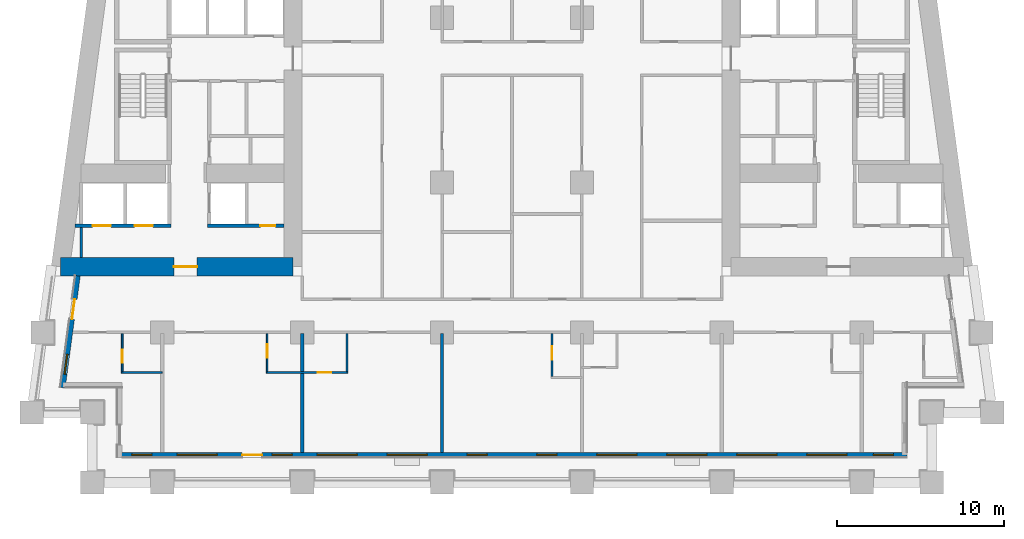
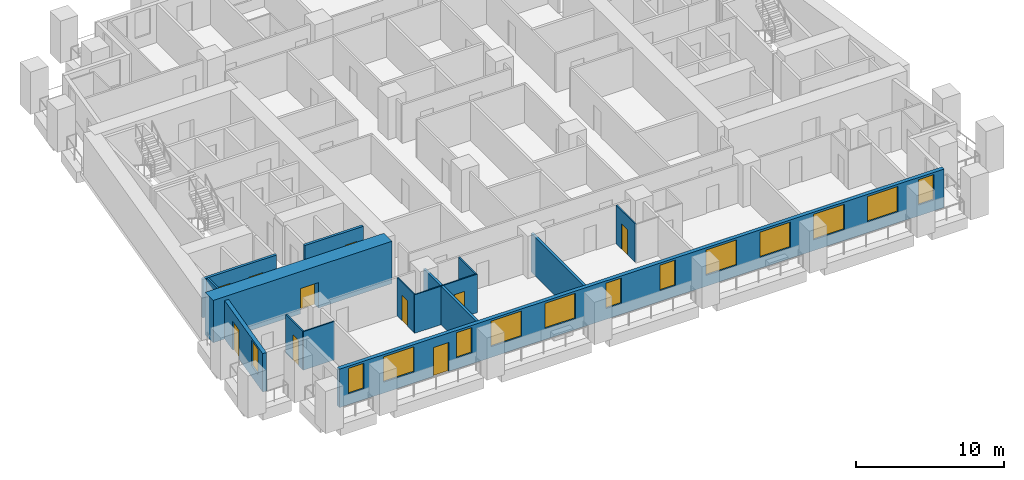
# One storey, part 2 of 13: 14 walls, 13 windows, 10 doors, 23 openings.
"""IFC4 building model written with IfcOpenShell, lengths in metres."""

from ifc_helpers import new_model, si_unit, direction, frame, frame_2d, origin, place, context, subcontext, project, spatial, rectangle, extrude, material, layer, layer_set, type_object, element, fill, save


model = new_model("IFC4")

# Units and contexts
model_context = context("Model", 3, precision=1e-05, world=origin(), true_north=direction((0.0, 1.0)))
body_context = subcontext(model_context, "Body", "Model", "MODEL_VIEW")
ifc_project = project(units=[si_unit("LENGTHUNIT", "METRE"), si_unit("AREAUNIT", "SQUARE_METRE"), si_unit("VOLUMEUNIT", "CUBIC_METRE"), si_unit("PLANEANGLEUNIT", "RADIAN"), si_unit("MASSUNIT", "GRAM", prefix="KILO")], contexts=[model_context])

# Site, building, storey
site_placement = place(None, origin())
site = spatial("IfcSite", under=ifc_project, at=site_placement, CompositionType="ELEMENT")
building_placement = place(site_placement, origin())
building = spatial("IfcBuilding", under=site, at=building_placement, Name="Candeia Pilgrim Tower and Theatre", CompositionType="ELEMENT")
storey_placement = place(building_placement, frame((0.0, 0.0, 56.5)))
storey = spatial("IfcBuildingStorey", under=building, at=storey_placement, Name="L11", CompositionType="ELEMENT", Elevation=56.5)

# Wall, opening, door
ifc_material_1 = material(Name="Concrete C80/95", Category="concrete")
ifc_layer_1 = layer(ifc_material_1, 1.10009765625)
ifc_layer_set_1 = layer_set([ifc_layer_1], Name="Core wall 1100 C80/95")
wall_type_1 = type_object("IfcWallType", Name="Core wall 1100 C80/95", PredefinedType="SHEAR", material=ifc_layer_set_1)
wall_1_placement = place(storey_placement, frame((100.25, 110.949951171875, 0.0), z_axis=(0.0, 0.0, 1.0), x_axis=(-1.0, 0.0, 0.0)))
wall_1 = element("IfcWall", 1, at=wall_1_placement, inside=storey, type_object=wall_type_1, Name="Core wall W3", PredefinedType="SHEAR", context=body_context, shape_type="SweptSolid", body=[
    extrude(rectangle(XDim=13.95166015625, YDim=1.10009765625, at=frame_2d((6.975830078125, 0.0))), origin(), (0.0, 0.0, 1.0), 3.5),
])
opening_1_placement = place(wall_1_placement, frame((5.74755859375, 0.0, 0.0)))
opening_1 = element("IfcOpeningElement", 2, at=opening_1_placement, cuts=wall_1, Name="Opening L11-D059", PredefinedType="OPENING", context=body_context, shape_type="SweptSolid", body=[
    extrude(rectangle(XDim=1.39990234375, YDim=2.10009765625, at=frame_2d((0.699951171875, 1.050048828125))), frame((0.0, 0.56005859375, 0.0), z_axis=(0.0, -1.0, 0.0), x_axis=(1.0, 0.0, 0.0)), (0.0, 0.0, 1.0), 1.1201171875),
])
ifc_material_2 = material(Name="Steel fire door set", Category="steel")
door_type_1 = type_object("IfcDoorType", Name="D-1400-FD60", OperationType="NOTDEFINED", PredefinedType="DOOR", material=ifc_material_2)
door_1_placement = place(opening_1_placement, origin())
door_1 = element("IfcDoor", 3, at=door_1_placement, inside=storey, type_object=door_type_1, Name="Door L11-D059", OperationType="SINGLE_SWING_RIGHT", OverallHeight=2.10009765625, OverallWidth=1.39990234375, PredefinedType="DOOR", context=body_context, shape_type="SweptSolid", body=[
    extrude(rectangle(XDim=1.39990234375, YDim=2.10009765625, at=frame_2d((0.699951171875, 1.050048828125))), frame((0.0, 0.02490234375, 0.0), z_axis=(0.0, -1.0, 0.0), x_axis=(1.0, 0.0, 0.0)), (0.0, 0.0, 1.0), 0.050048828125),
])
fill(opening_1, door_1)

# Wall, openings, door, windows
ifc_material_3 = material(Name="Ceramic block masonry", Category="masonry")
ifc_layer_2 = layer(ifc_material_3, 0.300048828125)
ifc_layer_set_2 = layer_set([ifc_layer_2], Name="EW1 glazing-line wall 300")
wall_type_2 = type_object("IfcWallType", Name="EW1 glazing-line wall 300", PredefinedType="SOLIDWALL", material=ifc_layer_set_2)
wall_2_placement = place(storey_placement, frame((89.85009765625, 99.64990234375, 0.0), z_axis=(0.0, 0.0, 1.0), x_axis=(1.0, 0.0, 0.0)))
wall_2 = element("IfcWall", 4, at=wall_2_placement, inside=storey, type_object=wall_type_2, Name="External wall L11-0.0", PredefinedType="SOLIDWALL", context=body_context, shape_type="SweptSolid", body=[
    extrude(rectangle(XDim=47.25, YDim=0.300048828125, at=frame_2d((23.625, 0.0))), origin(), (0.0, 0.0, 1.0), 3.179931640625),
])
opening_2_placement = place(wall_2_placement, frame((0.72509765625, 0.0, 0.89990234375)))
opening_2 = element("IfcOpeningElement", 5, at=opening_2_placement, cuts=wall_2, Name="Opening W-B", PredefinedType="OPENING", context=body_context, shape_type="SweptSolid", body=[
    extrude(rectangle(XDim=1.199951171875, YDim=2.10009765625, at=frame_2d((0.60009765625, 1.050048828125))), frame((0.0, 0.16015625, 0.0), z_axis=(0.0, -1.0, 0.0), x_axis=(1.0, 0.0, 0.0)), (0.0, 0.0, 1.0), 0.320068359375),
])
opening_3_placement = place(wall_2_placement, frame((3.449951171875, 0.0, 0.89990234375)))
opening_3 = element("IfcOpeningElement", 6, at=opening_3_placement, cuts=wall_2, Name="Opening W-A", PredefinedType="OPENING", context=body_context, shape_type="SweptSolid", body=[
    extrude(rectangle(XDim=2.39990234375, YDim=2.10009765625, at=frame_2d((1.199951171875, 1.050048828125))), frame((0.0, 0.16015625, 0.0), z_axis=(0.0, -1.0, 0.0), x_axis=(1.0, 0.0, 0.0)), (0.0, 0.0, 1.0), 0.320068359375),
])
opening_4_placement = place(wall_2_placement, frame((7.35009765625, 0.0, 0.0)))
opening_4 = element("IfcOpeningElement", 7, at=opening_4_placement, cuts=wall_2, Name="Opening L11-ED129", PredefinedType="OPENING", context=body_context, shape_type="SweptSolid", body=[
    extrude(rectangle(XDim=1.199951171875, YDim=2.39990234375, at=frame_2d((0.60009765625, 1.199951171875))), frame((0.0, 0.16015625, 0.0), z_axis=(0.0, -1.0, 0.0), x_axis=(1.0, 0.0, 0.0)), (0.0, 0.0, 1.0), 0.320068359375),
])
opening_5_placement = place(wall_2_placement, frame((9.14990234375, 0.0, 0.89990234375)))
opening_5 = element("IfcOpeningElement", 8, at=opening_5_placement, cuts=wall_2, Name="Opening W-B", PredefinedType="OPENING", context=body_context, shape_type="SweptSolid", body=[
    extrude(rectangle(XDim=1.199951171875, YDim=2.10009765625, at=frame_2d((0.60009765625, 1.050048828125))), frame((0.0, 0.16015625, 0.0), z_axis=(0.0, -1.0, 0.0), x_axis=(1.0, 0.0, 0.0)), (0.0, 0.0, 1.0), 0.320068359375),
])
opening_6_placement = place(wall_2_placement, frame((11.85009765625, 0.0, 0.89990234375)))
opening_6 = element("IfcOpeningElement", 9, at=opening_6_placement, cuts=wall_2, Name="Opening W-A", PredefinedType="OPENING", context=body_context, shape_type="SweptSolid", body=[
    extrude(rectangle(XDim=2.39990234375, YDim=2.10009765625, at=frame_2d((1.199951171875, 1.050048828125))), frame((0.0, 0.16015625, 0.0), z_axis=(0.0, -1.0, 0.0), x_axis=(1.0, 0.0, 0.0)), (0.0, 0.0, 1.0), 0.320068359375),
])
opening_7_placement = place(wall_2_placement, frame((16.050048828125, 0.0, 0.89990234375)))
opening_7 = element("IfcOpeningElement", 10, at=opening_7_placement, cuts=wall_2, Name="Opening W-A", PredefinedType="OPENING", context=body_context, shape_type="SweptSolid", body=[
    extrude(rectangle(XDim=2.39990234375, YDim=2.10009765625, at=frame_2d((1.199951171875, 1.050048828125))), frame((0.0, 0.16015625, 0.0), z_axis=(0.0, -1.0, 0.0), x_axis=(1.0, 0.0, 0.0)), (0.0, 0.0, 1.0), 0.320068359375),
])
opening_8_placement = place(wall_2_placement, frame((20.85009765625, 0.0, 0.89990234375)))
opening_8 = element("IfcOpeningElement", 11, at=opening_8_placement, cuts=wall_2, Name="Opening W-B", PredefinedType="OPENING", context=body_context, shape_type="SweptSolid", body=[
    extrude(rectangle(XDim=1.199951171875, YDim=2.10009765625, at=frame_2d((0.60009765625, 1.050048828125))), frame((0.0, 0.16015625, 0.0), z_axis=(0.0, -1.0, 0.0), x_axis=(1.0, 0.0, 0.0)), (0.0, 0.0, 1.0), 0.320068359375),
])
opening_9_placement = place(wall_2_placement, frame((25.050048828125, 0.0, 0.89990234375)))
opening_9 = element("IfcOpeningElement", 12, at=opening_9_placement, cuts=wall_2, Name="Opening W-B", PredefinedType="OPENING", context=body_context, shape_type="SweptSolid", body=[
    extrude(rectangle(XDim=1.199951171875, YDim=2.10009765625, at=frame_2d((0.60009765625, 1.050048828125))), frame((0.0, 0.16015625, 0.0), z_axis=(0.0, -1.0, 0.0), x_axis=(1.0, 0.0, 0.0)), (0.0, 0.0, 1.0), 0.320068359375),
])
opening_10_placement = place(wall_2_placement, frame((28.64990234375, 0.0, 0.89990234375)))
opening_10 = element("IfcOpeningElement", 13, at=opening_10_placement, cuts=wall_2, Name="Opening W-A", PredefinedType="OPENING", context=body_context, shape_type="SweptSolid", body=[
    extrude(rectangle(XDim=2.39990234375, YDim=2.10009765625, at=frame_2d((1.199951171875, 1.050048828125))), frame((0.0, 0.16015625, 0.0), z_axis=(0.0, -1.0, 0.0), x_axis=(1.0, 0.0, 0.0)), (0.0, 0.0, 1.0), 0.320068359375),
])
opening_11_placement = place(wall_2_placement, frame((32.85009765625, 0.0, 0.89990234375)))
opening_11 = element("IfcOpeningElement", 14, at=opening_11_placement, cuts=wall_2, Name="Opening W-A", PredefinedType="OPENING", context=body_context, shape_type="SweptSolid", body=[
    extrude(rectangle(XDim=2.39990234375, YDim=2.10009765625, at=frame_2d((1.199951171875, 1.050048828125))), frame((0.0, 0.16015625, 0.0), z_axis=(0.0, -1.0, 0.0), x_axis=(1.0, 0.0, 0.0)), (0.0, 0.0, 1.0), 0.320068359375),
])
opening_12_placement = place(wall_2_placement, frame((37.050048828125, 0.0, 0.89990234375)))
opening_12 = element("IfcOpeningElement", 15, at=opening_12_placement, cuts=wall_2, Name="Opening W-A", PredefinedType="OPENING", context=body_context, shape_type="SweptSolid", body=[
    extrude(rectangle(XDim=2.39990234375, YDim=2.10009765625, at=frame_2d((1.199951171875, 1.050048828125))), frame((0.0, 0.16015625, 0.0), z_axis=(0.0, -1.0, 0.0), x_axis=(1.0, 0.0, 0.0)), (0.0, 0.0, 1.0), 0.320068359375),
])
opening_13_placement = place(wall_2_placement, frame((41.25, 0.0, 0.89990234375)))
opening_13 = element("IfcOpeningElement", 16, at=opening_13_placement, cuts=wall_2, Name="Opening W-A", PredefinedType="OPENING", context=body_context, shape_type="SweptSolid", body=[
    extrude(rectangle(XDim=2.39990234375, YDim=2.10009765625, at=frame_2d((1.199951171875, 1.050048828125))), frame((0.0, 0.16015625, 0.0), z_axis=(0.0, -1.0, 0.0), x_axis=(1.0, 0.0, 0.0)), (0.0, 0.0, 1.0), 0.320068359375),
])
opening_14_placement = place(wall_2_placement, frame((45.25, 0.0, 0.89990234375)))
opening_14 = element("IfcOpeningElement", 17, at=opening_14_placement, cuts=wall_2, Name="Opening W-B", PredefinedType="OPENING", context=body_context, shape_type="SweptSolid", body=[
    extrude(rectangle(XDim=1.199951171875, YDim=2.10009765625, at=frame_2d((0.60009765625, 1.050048828125))), frame((0.0, 0.16015625, 0.0), z_axis=(0.0, -1.0, 0.0), x_axis=(1.0, 0.0, 0.0)), (0.0, 0.0, 1.0), 0.320068359375),
])
ifc_material_4 = material(Name="Aluminium framed glazed door", Category="aluminium")
door_type_2 = type_object("IfcDoorType", Name="Loggia door 1200x2400", OperationType="DOUBLE_DOOR_SINGLE_SWING", PredefinedType="DOOR", material=ifc_material_4)
door_2_placement = place(opening_4_placement, origin())
door_2 = element("IfcDoor", 18, at=door_2_placement, inside=storey, type_object=door_type_2, Name="Loggia door L11-ED129", OperationType="DOUBLE_DOOR_SINGLE_SWING", OverallHeight=2.39990234375, OverallWidth=1.199951171875, PredefinedType="DOOR", context=body_context, shape_type="SweptSolid", body=[
    extrude(rectangle(XDim=1.199951171875, YDim=2.39990234375, at=frame_2d((0.60009765625, 1.199951171875))), frame((0.0, 0.02490234375, 0.0), z_axis=(0.0, -1.0, 0.0), x_axis=(1.0, 0.0, 0.0)), (0.0, 0.0, 1.0), 0.050048828125),
])
fill(opening_4, door_2)
ifc_material_5 = material(Name="Aluminium framed double glazing", Category="aluminium")
window_type_1 = type_object("IfcWindowType", Name="W-A window 2400x2100", PartitioningType="DOUBLE_PANEL_VERTICAL", PredefinedType="WINDOW", material=ifc_material_5)
window_1_placement = place(opening_3_placement, origin())
window_1 = element("IfcWindow", 19, at=window_1_placement, inside=storey, type_object=window_type_1, Name="Window W-A L11", OverallHeight=2.10009765625, OverallWidth=2.39990234375, PartitioningType="SINGLE_PANEL", PredefinedType="WINDOW", context=body_context, shape_type="SweptSolid", body=[
    extrude(rectangle(XDim=2.39990234375, YDim=2.10009765625, at=frame_2d((1.199951171875, 1.050048828125))), frame((0.0, 0.030029296875, 0.0), z_axis=(0.0, -1.0, 0.0), x_axis=(1.0, 0.0, 0.0)), (0.0, 0.0, 1.0), 0.06005859375),
])
fill(opening_3, window_1)
window_2_placement = place(opening_6_placement, origin())
window_2 = element("IfcWindow", 20, at=window_2_placement, inside=storey, type_object=window_type_1, Name="Window W-A L11", OverallHeight=2.10009765625, OverallWidth=2.39990234375, PartitioningType="SINGLE_PANEL", PredefinedType="WINDOW", context=body_context, shape_type="SweptSolid", body=[
    extrude(rectangle(XDim=2.39990234375, YDim=2.10009765625, at=frame_2d((1.199951171875, 1.050048828125))), frame((0.0, 0.030029296875, 0.0), z_axis=(0.0, -1.0, 0.0), x_axis=(1.0, 0.0, 0.0)), (0.0, 0.0, 1.0), 0.06005859375),
])
fill(opening_6, window_2)
window_3_placement = place(opening_7_placement, origin())
window_3 = element("IfcWindow", 21, at=window_3_placement, inside=storey, type_object=window_type_1, Name="Window W-A L11", OverallHeight=2.10009765625, OverallWidth=2.39990234375, PartitioningType="SINGLE_PANEL", PredefinedType="WINDOW", context=body_context, shape_type="SweptSolid", body=[
    extrude(rectangle(XDim=2.39990234375, YDim=2.10009765625, at=frame_2d((1.199951171875, 1.050048828125))), frame((0.0, 0.030029296875, 0.0), z_axis=(0.0, -1.0, 0.0), x_axis=(1.0, 0.0, 0.0)), (0.0, 0.0, 1.0), 0.06005859375),
])
fill(opening_7, window_3)
window_4_placement = place(opening_10_placement, origin())
window_4 = element("IfcWindow", 22, at=window_4_placement, inside=storey, type_object=window_type_1, Name="Window W-A L11", OverallHeight=2.10009765625, OverallWidth=2.39990234375, PartitioningType="SINGLE_PANEL", PredefinedType="WINDOW", context=body_context, shape_type="SweptSolid", body=[
    extrude(rectangle(XDim=2.39990234375, YDim=2.10009765625, at=frame_2d((1.199951171875, 1.050048828125))), frame((0.0, 0.030029296875, 0.0), z_axis=(0.0, -1.0, 0.0), x_axis=(1.0, 0.0, 0.0)), (0.0, 0.0, 1.0), 0.06005859375),
])
fill(opening_10, window_4)
window_5_placement = place(opening_11_placement, origin())
window_5 = element("IfcWindow", 23, at=window_5_placement, inside=storey, type_object=window_type_1, Name="Window W-A L11", OverallHeight=2.10009765625, OverallWidth=2.39990234375, PartitioningType="SINGLE_PANEL", PredefinedType="WINDOW", context=body_context, shape_type="SweptSolid", body=[
    extrude(rectangle(XDim=2.39990234375, YDim=2.10009765625, at=frame_2d((1.199951171875, 1.050048828125))), frame((0.0, 0.030029296875, 0.0), z_axis=(0.0, -1.0, 0.0), x_axis=(1.0, 0.0, 0.0)), (0.0, 0.0, 1.0), 0.06005859375),
])
fill(opening_11, window_5)
window_6_placement = place(opening_12_placement, origin())
window_6 = element("IfcWindow", 24, at=window_6_placement, inside=storey, type_object=window_type_1, Name="Window W-A L11", OverallHeight=2.10009765625, OverallWidth=2.39990234375, PartitioningType="SINGLE_PANEL", PredefinedType="WINDOW", context=body_context, shape_type="SweptSolid", body=[
    extrude(rectangle(XDim=2.39990234375, YDim=2.10009765625, at=frame_2d((1.199951171875, 1.050048828125))), frame((0.0, 0.030029296875, 0.0), z_axis=(0.0, -1.0, 0.0), x_axis=(1.0, 0.0, 0.0)), (0.0, 0.0, 1.0), 0.06005859375),
])
fill(opening_12, window_6)
window_7_placement = place(opening_13_placement, origin())
window_7 = element("IfcWindow", 25, at=window_7_placement, inside=storey, type_object=window_type_1, Name="Window W-A L11", OverallHeight=2.10009765625, OverallWidth=2.39990234375, PartitioningType="SINGLE_PANEL", PredefinedType="WINDOW", context=body_context, shape_type="SweptSolid", body=[
    extrude(rectangle(XDim=2.39990234375, YDim=2.10009765625, at=frame_2d((1.199951171875, 1.050048828125))), frame((0.0, 0.030029296875, 0.0), z_axis=(0.0, -1.0, 0.0), x_axis=(1.0, 0.0, 0.0)), (0.0, 0.0, 1.0), 0.06005859375),
])
fill(opening_13, window_7)
window_type_2 = type_object("IfcWindowType", Name="W-B window 1200x2100", PartitioningType="SINGLE_PANEL", PredefinedType="WINDOW", material=ifc_material_5)
window_8_placement = place(opening_2_placement, origin())
window_8 = element("IfcWindow", 26, at=window_8_placement, inside=storey, type_object=window_type_2, Name="Window W-B L11", OverallHeight=2.10009765625, OverallWidth=1.199951171875, PartitioningType="SINGLE_PANEL", PredefinedType="WINDOW", context=body_context, shape_type="SweptSolid", body=[
    extrude(rectangle(XDim=1.199951171875, YDim=2.10009765625, at=frame_2d((0.60009765625, 1.050048828125))), frame((0.0, 0.030029296875, 0.0), z_axis=(0.0, -1.0, 0.0), x_axis=(1.0, 0.0, 0.0)), (0.0, 0.0, 1.0), 0.06005859375),
])
fill(opening_2, window_8)
window_9_placement = place(opening_5_placement, origin())
window_9 = element("IfcWindow", 27, at=window_9_placement, inside=storey, type_object=window_type_2, Name="Window W-B L11", OverallHeight=2.10009765625, OverallWidth=1.199951171875, PartitioningType="SINGLE_PANEL", PredefinedType="WINDOW", context=body_context, shape_type="SweptSolid", body=[
    extrude(rectangle(XDim=1.199951171875, YDim=2.10009765625, at=frame_2d((0.60009765625, 1.050048828125))), frame((0.0, 0.030029296875, 0.0), z_axis=(0.0, -1.0, 0.0), x_axis=(1.0, 0.0, 0.0)), (0.0, 0.0, 1.0), 0.06005859375),
])
fill(opening_5, window_9)
window_10_placement = place(opening_8_placement, origin())
window_10 = element("IfcWindow", 28, at=window_10_placement, inside=storey, type_object=window_type_2, Name="Window W-B L11", OverallHeight=2.10009765625, OverallWidth=1.199951171875, PartitioningType="SINGLE_PANEL", PredefinedType="WINDOW", context=body_context, shape_type="SweptSolid", body=[
    extrude(rectangle(XDim=1.199951171875, YDim=2.10009765625, at=frame_2d((0.60009765625, 1.050048828125))), frame((0.0, 0.030029296875, 0.0), z_axis=(0.0, -1.0, 0.0), x_axis=(1.0, 0.0, 0.0)), (0.0, 0.0, 1.0), 0.06005859375),
])
fill(opening_8, window_10)
window_11_placement = place(opening_9_placement, origin())
window_11 = element("IfcWindow", 29, at=window_11_placement, inside=storey, type_object=window_type_2, Name="Window W-B L11", OverallHeight=2.10009765625, OverallWidth=1.199951171875, PartitioningType="SINGLE_PANEL", PredefinedType="WINDOW", context=body_context, shape_type="SweptSolid", body=[
    extrude(rectangle(XDim=1.199951171875, YDim=2.10009765625, at=frame_2d((0.60009765625, 1.050048828125))), frame((0.0, 0.030029296875, 0.0), z_axis=(0.0, -1.0, 0.0), x_axis=(1.0, 0.0, 0.0)), (0.0, 0.0, 1.0), 0.06005859375),
])
fill(opening_9, window_11)
window_12_placement = place(opening_14_placement, origin())
window_12 = element("IfcWindow", 30, at=window_12_placement, inside=storey, type_object=window_type_2, Name="Window W-B L11", OverallHeight=2.10009765625, OverallWidth=1.199951171875, PartitioningType="SINGLE_PANEL", PredefinedType="WINDOW", context=body_context, shape_type="SweptSolid", body=[
    extrude(rectangle(XDim=1.199951171875, YDim=2.10009765625, at=frame_2d((0.60009765625, 1.050048828125))), frame((0.0, 0.030029296875, 0.0), z_axis=(0.0, -1.0, 0.0), x_axis=(1.0, 0.0, 0.0)), (0.0, 0.0, 1.0), 0.06005859375),
])
fill(opening_14, window_12)

# Wall, openings, door, window
wall_3_placement = place(storey_placement, frame((87.334228515625, 110.39990234375, 0.0), z_axis=(0.0, 0.0, 1.0), x_axis=(-0.133437175554, -0.991057273915, 0.0)))
wall_3 = element("IfcWall", 31, at=wall_3_placement, inside=storey, type_object=wall_type_2, Name="External wall L11-9.1", PredefinedType="SOLIDWALL", context=body_context, shape_type="SweptSolid", body=[
    extrude(rectangle(XDim=6.780517578125, YDim=0.300048828125, at=frame_2d((3.39013671875, 0.0))), origin(), (0.0, 0.0, 1.0), 3.179931640625),
])
opening_15_placement = place(wall_3_placement, frame((1.41796875, 0.0, 0.0)))
opening_15 = element("IfcOpeningElement", 32, at=opening_15_placement, cuts=wall_3, Name="Opening L11-ED136", PredefinedType="OPENING", context=body_context, shape_type="SweptSolid", body=[
    extrude(rectangle(XDim=1.199951171875, YDim=2.39990234375, at=frame_2d((0.60009765625, 1.199951171875))), frame((0.0, 0.16015625, 0.0), z_axis=(0.0, -1.0, 0.0), x_axis=(1.0, 0.0, 0.0)), (0.0, 0.0, 1.0), 0.320068359375),
])
opening_16_placement = place(wall_3_placement, frame((4.75830078125, 0.0, 0.89990234375)))
opening_16 = element("IfcOpeningElement", 33, at=opening_16_placement, cuts=wall_3, Name="Opening W-B", PredefinedType="OPENING", context=body_context, shape_type="SweptSolid", body=[
    extrude(rectangle(XDim=1.199951171875, YDim=2.10009765625, at=frame_2d((0.60009765625, 1.050048828125))), frame((0.0, 0.16015625, 0.0), z_axis=(0.0, -1.0, 0.0), x_axis=(1.0, 0.0, 0.0)), (0.0, 0.0, 1.0), 0.320068359375),
])
door_3_placement = place(opening_15_placement, origin())
door_3 = element("IfcDoor", 34, at=door_3_placement, inside=storey, type_object=door_type_2, Name="Loggia door L11-ED136", OperationType="DOUBLE_DOOR_SINGLE_SWING", OverallHeight=2.39990234375, OverallWidth=1.199951171875, PredefinedType="DOOR", context=body_context, shape_type="SweptSolid", body=[
    extrude(rectangle(XDim=1.199951171875, YDim=2.39990234375, at=frame_2d((0.60009765625, 1.199951171875))), frame((0.0, 0.02490234375, 0.0), z_axis=(0.0, -1.0, 0.0), x_axis=(1.0, 0.0, 0.0)), (0.0, 0.0, 1.0), 0.050048828125),
])
fill(opening_15, door_3)
window_13_placement = place(opening_16_placement, origin())
window_13 = element("IfcWindow", 35, at=window_13_placement, inside=storey, type_object=window_type_2, Name="Window W-B L11", OverallHeight=2.10009765625, OverallWidth=1.199951171875, PartitioningType="SINGLE_PANEL", PredefinedType="WINDOW", context=body_context, shape_type="SweptSolid", body=[
    extrude(rectangle(XDim=1.199951171875, YDim=2.10009765625, at=frame_2d((0.60009765625, 1.050048828125))), frame((0.0, 0.030029296875, 0.0), z_axis=(0.0, -1.0, 0.0), x_axis=(1.0, 0.0, 0.0)), (0.0, 0.0, 1.0), 0.06005859375),
])
fill(opening_16, window_13)

# Wall
ifc_material_6 = material(Name="Gypsum board partition on steel studs", Category="steel")
ifc_layer_3 = layer(ifc_material_6, 0.10009765625)
ifc_layer_set_3 = layer_set([ifc_layer_3], Name="PW-100 room partition")
wall_type_3 = type_object("IfcWallType", Name="PW-100 room partition", PredefinedType="PARTITIONING", material=ifc_layer_set_3)
wall_4_placement = place(storey_placement, frame((89.949951171875, 104.60009765625, 0.0), z_axis=(0.0, 0.0, 1.0), x_axis=(1.0, 0.0, 0.0)))
element("IfcWall", 36, at=wall_4_placement, inside=storey, type_object=wall_type_3, Name="Room partition L11-003", PredefinedType="PARTITIONING", context=body_context, shape_type="SweptSolid", body=[
    extrude(rectangle(XDim=2.449951171875, YDim=0.10009765625, at=frame_2d((1.22509765625, 0.0))), origin(), (0.0, 0.0, 1.0), 3.179931640625),
])

# Wall, opening, door
wall_5_placement = place(storey_placement, frame((98.64990234375, 104.60009765625, 0.0), z_axis=(0.0, 0.0, 1.0), x_axis=(1.0, 0.0, 0.0)))
wall_5 = element("IfcWall", 37, at=wall_5_placement, inside=storey, type_object=wall_type_3, Name="Room partition L11-004", PredefinedType="PARTITIONING", context=body_context, shape_type="SweptSolid", body=[
    extrude(rectangle(XDim=4.900146484375, YDim=0.10009765625, at=frame_2d((2.4501953125, 0.0))), origin(), (0.0, 0.0, 1.0), 3.179931640625),
])
opening_17_placement = place(wall_5_placement, frame((3.10009765625, 0.0, 0.0)))
opening_17 = element("IfcOpeningElement", 38, at=opening_17_placement, cuts=wall_5, Name="Opening L11-D021", PredefinedType="OPENING", context=body_context, shape_type="SweptSolid", body=[
    extrude(rectangle(XDim=0.800048828125, YDim=2.10009765625, at=frame_2d((0.39990234375, 1.050048828125))), frame((0.0, 0.06005859375, 0.0), z_axis=(0.0, -1.0, 0.0), x_axis=(1.0, 0.0, 0.0)), (0.0, 0.0, 1.0), 0.1201171875),
])
ifc_material_7 = material(Name="Timber door leaf", Category="wood")
door_type_3 = type_object("IfcDoorType", Name="D-800", OperationType="NOTDEFINED", PredefinedType="DOOR", material=ifc_material_7)
door_4_placement = place(opening_17_placement, origin())
door_4 = element("IfcDoor", 39, at=door_4_placement, inside=storey, type_object=door_type_3, Name="Door L11-D021", OperationType="SINGLE_SWING_RIGHT", OverallHeight=2.10009765625, OverallWidth=0.800048828125, PredefinedType="DOOR", context=body_context, shape_type="SweptSolid", body=[
    extrude(rectangle(XDim=0.800048828125, YDim=2.10009765625, at=frame_2d((0.39990234375, 1.050048828125))), frame((0.0, 0.02490234375, 0.0), z_axis=(0.0, -1.0, 0.0), x_axis=(1.0, 0.0, 0.0)), (0.0, 0.0, 1.0), 0.050048828125),
])
fill(opening_17, door_4)

wall_6_placement = place(storey_placement, frame((90.0, 104.64990234375, 0.0), z_axis=(0.0, 0.0, 1.0), x_axis=(0.0, 1.0, 0.0)))
wall_6 = element("IfcWall", 40, at=wall_6_placement, inside=storey, type_object=wall_type_3, Name="Room partition L11-058", PredefinedType="PARTITIONING", context=body_context, shape_type="SweptSolid", body=[
    extrude(rectangle(XDim=2.275146484375, YDim=0.10009765625, at=frame_2d((1.1376953125, 0.0))), origin(), (0.0, 0.0, 1.0), 3.179931640625),
])
opening_18_placement = place(wall_6_placement, frame((0.52490234375, 0.0, 0.0)))
opening_18 = element("IfcOpeningElement", 41, at=opening_18_placement, cuts=wall_6, Name="Opening L11-D017", PredefinedType="OPENING", context=body_context, shape_type="SweptSolid", body=[
    extrude(rectangle(XDim=0.800048828125, YDim=2.10009765625, at=frame_2d((0.39990234375, 1.050048828125))), frame((0.0, 0.06005859375, 0.0), z_axis=(0.0, -1.0, 0.0), x_axis=(1.0, 0.0, 0.0)), (0.0, 0.0, 1.0), 0.1201171875),
])
door_5_placement = place(opening_18_placement, origin())
door_5 = element("IfcDoor", 42, at=door_5_placement, inside=storey, type_object=door_type_3, Name="Door L11-D017", OperationType="SINGLE_SWING_RIGHT", OverallHeight=2.10009765625, OverallWidth=0.800048828125, PredefinedType="DOOR", context=body_context, shape_type="SweptSolid", body=[
    extrude(rectangle(XDim=0.800048828125, YDim=2.10009765625, at=frame_2d((0.39990234375, 1.050048828125))), frame((0.0, 0.02490234375, 0.0), z_axis=(0.0, -1.0, 0.0), x_axis=(1.0, 0.0, 0.0)), (0.0, 0.0, 1.0), 0.050048828125),
])
fill(opening_18, door_5)

wall_7_placement = place(storey_placement, frame((98.699951171875, 104.64990234375, 0.0), z_axis=(0.0, 0.0, 1.0), x_axis=(0.0, 1.0, 0.0)))
wall_7 = element("IfcWall", 43, at=wall_7_placement, inside=storey, type_object=wall_type_3, Name="Room partition L11-076", PredefinedType="PARTITIONING", context=body_context, shape_type="SweptSolid", body=[
    extrude(rectangle(XDim=2.275146484375, YDim=0.10009765625, at=frame_2d((1.1376953125, 0.0))), origin(), (0.0, 0.0, 1.0), 3.179931640625),
])
opening_19_placement = place(wall_7_placement, frame((0.840087890625, 0.0, 0.0)))
opening_19 = element("IfcOpeningElement", 44, at=opening_19_placement, cuts=wall_7, Name="Opening L11-D019", PredefinedType="OPENING", context=body_context, shape_type="SweptSolid", body=[
    extrude(rectangle(XDim=0.800048828125, YDim=2.10009765625, at=frame_2d((0.39990234375, 1.050048828125))), frame((0.0, 0.06005859375, 0.0), z_axis=(0.0, -1.0, 0.0), x_axis=(1.0, 0.0, 0.0)), (0.0, 0.0, 1.0), 0.1201171875),
])
door_6_placement = place(opening_19_placement, origin())
door_6 = element("IfcDoor", 45, at=door_6_placement, inside=storey, type_object=door_type_3, Name="Door L11-D019", OperationType="SINGLE_SWING_RIGHT", OverallHeight=2.10009765625, OverallWidth=0.800048828125, PredefinedType="DOOR", context=body_context, shape_type="SweptSolid", body=[
    extrude(rectangle(XDim=0.800048828125, YDim=2.10009765625, at=frame_2d((0.39990234375, 1.050048828125))), frame((0.0, 0.02490234375, 0.0), z_axis=(0.0, -1.0, 0.0), x_axis=(1.0, 0.0, 0.0)), (0.0, 0.0, 1.0), 0.050048828125),
])
fill(opening_19, door_6)

# Wall
wall_8_placement = place(storey_placement, frame((103.5, 104.64990234375, 0.0), z_axis=(0.0, 0.0, 1.0), x_axis=(0.0, 1.0, 0.0)))
element("IfcWall", 46, at=wall_8_placement, inside=storey, type_object=wall_type_3, Name="Room partition L11-081", PredefinedType="PARTITIONING", context=body_context, shape_type="SweptSolid", body=[
    extrude(rectangle(XDim=2.275146484375, YDim=0.10009765625, at=frame_2d((1.1376953125, 0.0))), origin(), (0.0, 0.0, 1.0), 3.179931640625),
])

# Wall, opening, door
wall_9_placement = place(storey_placement, frame((115.800048828125, 104.35009765625, 0.0), z_axis=(0.0, 0.0, 1.0), x_axis=(0.0, 1.0, 0.0)))
wall_9 = element("IfcWall", 47, at=wall_9_placement, inside=storey, type_object=wall_type_3, Name="Room partition L11-092", PredefinedType="PARTITIONING", context=body_context, shape_type="SweptSolid", body=[
    extrude(rectangle(XDim=2.574951171875, YDim=0.10009765625, at=frame_2d((1.28759765625, 0.0))), origin(), (0.0, 0.0, 1.0), 3.179931640625),
])
opening_20_placement = place(wall_9_placement, frame((1.02001953125, 0.0, 0.0)))
opening_20 = element("IfcOpeningElement", 48, at=opening_20_placement, cuts=wall_9, Name="Opening L11-D023", PredefinedType="OPENING", context=body_context, shape_type="SweptSolid", body=[
    extrude(rectangle(XDim=0.800048828125, YDim=2.10009765625, at=frame_2d((0.39990234375, 1.050048828125))), frame((0.0, 0.06005859375, 0.0), z_axis=(0.0, -1.0, 0.0), x_axis=(1.0, 0.0, 0.0)), (0.0, 0.0, 1.0), 0.1201171875),
])
door_7_placement = place(opening_20_placement, origin())
door_7 = element("IfcDoor", 49, at=door_7_placement, inside=storey, type_object=door_type_3, Name="Door L11-D023", OperationType="SINGLE_SWING_RIGHT", OverallHeight=2.10009765625, OverallWidth=0.800048828125, PredefinedType="DOOR", context=body_context, shape_type="SweptSolid", body=[
    extrude(rectangle(XDim=0.800048828125, YDim=2.10009765625, at=frame_2d((0.39990234375, 1.050048828125))), frame((0.0, 0.02490234375, 0.0), z_axis=(0.0, -1.0, 0.0), x_axis=(1.0, 0.0, 0.0)), (0.0, 0.0, 1.0), 0.050048828125),
])
fill(opening_20, door_7)

# Walls
ifc_layer_4 = layer(ifc_material_6, 0.14990234375)
ifc_layer_set_4 = layer_set([ifc_layer_4], Name="PW-150 lobby wall")
wall_type_4 = type_object("IfcWallType", Name="PW-150 lobby wall", PredefinedType="PARTITIONING", material=ifc_layer_set_4)
wall_10_placement = place(storey_placement, frame((87.530029296875, 111.5, 0.0), z_axis=(0.0, 0.0, 1.0), x_axis=(0.0, 1.0, 0.0)))
element("IfcWall", 50, at=wall_10_placement, inside=storey, type_object=wall_type_4, Name="Lobby wall L11-055", PredefinedType="PARTITIONING", context=body_context, shape_type="SweptSolid", body=[
    extrude(rectangle(XDim=1.800048828125, YDim=0.14990234375, at=frame_2d((0.89990234375, 0.0))), origin(), (0.0, 0.0, 1.0), 3.179931640625),
])
ifc_layer_5 = layer(ifc_material_6, 0.199951171875)
ifc_layer_set_5 = layer_set([ifc_layer_5], Name="PW-200 party wall")
wall_type_5 = type_object("IfcWallType", Name="PW-200 party wall", PredefinedType="PARTITIONING", material=ifc_layer_set_5)
for number, where, z_axis, x_axis, name in (
    (51, (100.800048828125, 99.7900390625, 0.0), (0.0, 0.0, 1.0), (0.0, 1.0, 0.0), "Party wall L11-077"),
    (52, (109.199951171875, 99.7900390625, 0.0), (0.0, 0.0, 1.0), (0.0, 1.0, 0.0), "Party wall L11-086"),
):
    element("IfcWall", number, at=place(storey_placement, frame(where, z_axis=z_axis, x_axis=x_axis)), inside=storey, type_object=wall_type_5, Name=name, PredefinedType="PARTITIONING", context=body_context, shape_type="SweptSolid", body=[
        extrude(rectangle(XDim=7.135009765625, YDim=0.199951171875, at=frame_2d((3.5673828125, 0.0))), origin(), (0.0, 0.0, 1.0), 3.179931640625),
    ])

# Wall, openings, doors
ifc_material_8 = material(Name="Concrete C40/50", Category="concrete")
ifc_layer_6 = layer(ifc_material_8, 0.199951171875)
ifc_layer_set_6 = layer_set([ifc_layer_6], Name="SW-200 shaft wall")
wall_type_6 = type_object("IfcWallType", Name="SW-200 shaft wall", PredefinedType="PARTITIONING", material=ifc_layer_set_6)
wall_11_placement = place(storey_placement, frame((87.153076171875, 113.39990234375, 0.0), z_axis=(0.0, 0.0, 1.0), x_axis=(1.0, 0.0, 0.0)))
wall_11 = element("IfcWall", 53, at=wall_11_placement, inside=storey, type_object=wall_type_6, Name="Shaft wall L11-011", PredefinedType="PARTITIONING", context=body_context, shape_type="SweptSolid", body=[
    extrude(rectangle(XDim=5.77392578125, YDim=0.199951171875, at=frame_2d((2.886962890625, 0.0))), origin(), (0.0, 0.0, 1.0), 3.179931640625),
])
opening_21_placement = place(wall_11_placement, frame((1.06591796875, 0.0, 0.0)))
opening_21 = element("IfcOpeningElement", 54, at=opening_21_placement, cuts=wall_11, Name="Opening L11-LD03", PredefinedType="OPENING", context=body_context, shape_type="SweptSolid", body=[
    extrude(rectangle(XDim=1.10009765625, YDim=2.10009765625, at=frame_2d((0.550048828125, 1.050048828125))), frame((0.0, 0.10986328125, 0.0), z_axis=(0.0, -1.0, 0.0), x_axis=(1.0, 0.0, 0.0)), (0.0, 0.0, 1.0), 0.219970703125),
])
opening_22_placement = place(wall_11_placement, frame((3.587890625, 0.0, 0.0)))
opening_22 = element("IfcOpeningElement", 55, at=opening_22_placement, cuts=wall_11, Name="Opening L11-LD04", PredefinedType="OPENING", context=body_context, shape_type="SweptSolid", body=[
    extrude(rectangle(XDim=1.10009765625, YDim=2.10009765625, at=frame_2d((0.550048828125, 1.050048828125))), frame((0.0, 0.10986328125, 0.0), z_axis=(0.0, -1.0, 0.0), x_axis=(1.0, 0.0, 0.0)), (0.0, 0.0, 1.0), 0.219970703125),
])
ifc_material_9 = material(Name="Glazed aluminium landing door", Category="aluminium")
door_type_4 = type_object("IfcDoorType", Name="LD-1100-EI120", OperationType="SLIDING_TO_LEFT", PredefinedType="DOOR", material=ifc_material_9)
door_8_placement = place(opening_21_placement, origin())
door_8 = element("IfcDoor", 56, at=door_8_placement, inside=storey, type_object=door_type_4, Name="Landing door 03 L11", OperationType="SLIDING_TO_LEFT", OverallHeight=2.10009765625, OverallWidth=1.10009765625, PredefinedType="DOOR", context=body_context, shape_type="SweptSolid", body=[
    extrude(rectangle(XDim=1.10009765625, YDim=2.10009765625, at=frame_2d((0.550048828125, 1.050048828125))), frame((0.0, 0.02490234375, 0.0), z_axis=(0.0, -1.0, 0.0), x_axis=(1.0, 0.0, 0.0)), (0.0, 0.0, 1.0), 0.050048828125),
])
fill(opening_21, door_8)
door_9_placement = place(opening_22_placement, origin())
door_9 = element("IfcDoor", 57, at=door_9_placement, inside=storey, type_object=door_type_4, Name="Landing door 04 L11", OperationType="SLIDING_TO_LEFT", OverallHeight=2.10009765625, OverallWidth=1.10009765625, PredefinedType="DOOR", context=body_context, shape_type="SweptSolid", body=[
    extrude(rectangle(XDim=1.10009765625, YDim=2.10009765625, at=frame_2d((0.550048828125, 1.050048828125))), frame((0.0, 0.02490234375, 0.0), z_axis=(0.0, -1.0, 0.0), x_axis=(1.0, 0.0, 0.0)), (0.0, 0.0, 1.0), 0.050048828125),
])
fill(opening_22, door_9)

# Wall, opening, door
wall_12_placement = place(storey_placement, frame((95.126953125, 113.39990234375, 0.0), z_axis=(0.0, 0.0, 1.0), x_axis=(1.0, 0.0, 0.0)))
wall_12 = element("IfcWall", 58, at=wall_12_placement, inside=storey, type_object=wall_type_6, Name="Shaft wall L11-012", PredefinedType="PARTITIONING", context=body_context, shape_type="SweptSolid", body=[
    extrude(rectangle(XDim=4.572998046875, YDim=0.199951171875, at=frame_2d((2.28662109375, 0.0))), origin(), (0.0, 0.0, 1.0), 3.179931640625),
])
opening_23_placement = place(wall_12_placement, frame((3.1640625, 0.0, 0.0)))
opening_23 = element("IfcOpeningElement", 59, at=opening_23_placement, cuts=wall_12, Name="Opening L11-D007", PredefinedType="OPENING", context=body_context, shape_type="SweptSolid", body=[
    extrude(rectangle(XDim=0.89990234375, YDim=2.10009765625, at=frame_2d((0.449951171875, 1.050048828125))), frame((0.0, 0.10986328125, 0.0), z_axis=(0.0, -1.0, 0.0), x_axis=(1.0, 0.0, 0.0)), (0.0, 0.0, 1.0), 0.219970703125),
])
door_type_5 = type_object("IfcDoorType", Name="D-900-FD60", OperationType="NOTDEFINED", PredefinedType="DOOR", material=ifc_material_2)
door_10_placement = place(opening_23_placement, origin())
door_10 = element("IfcDoor", 60, at=door_10_placement, inside=storey, type_object=door_type_5, Name="Door L11-D007", OperationType="SINGLE_SWING_LEFT", OverallHeight=2.10009765625, OverallWidth=0.89990234375, PredefinedType="DOOR", context=body_context, shape_type="SweptSolid", body=[
    extrude(rectangle(XDim=0.89990234375, YDim=2.10009765625, at=frame_2d((0.449951171875, 1.050048828125))), frame((0.0, 0.02490234375, 0.0), z_axis=(0.0, -1.0, 0.0), x_axis=(1.0, 0.0, 0.0)), (0.0, 0.0, 1.0), 0.050048828125),
])
fill(opening_23, door_10)

save(model, "model.ifc")
